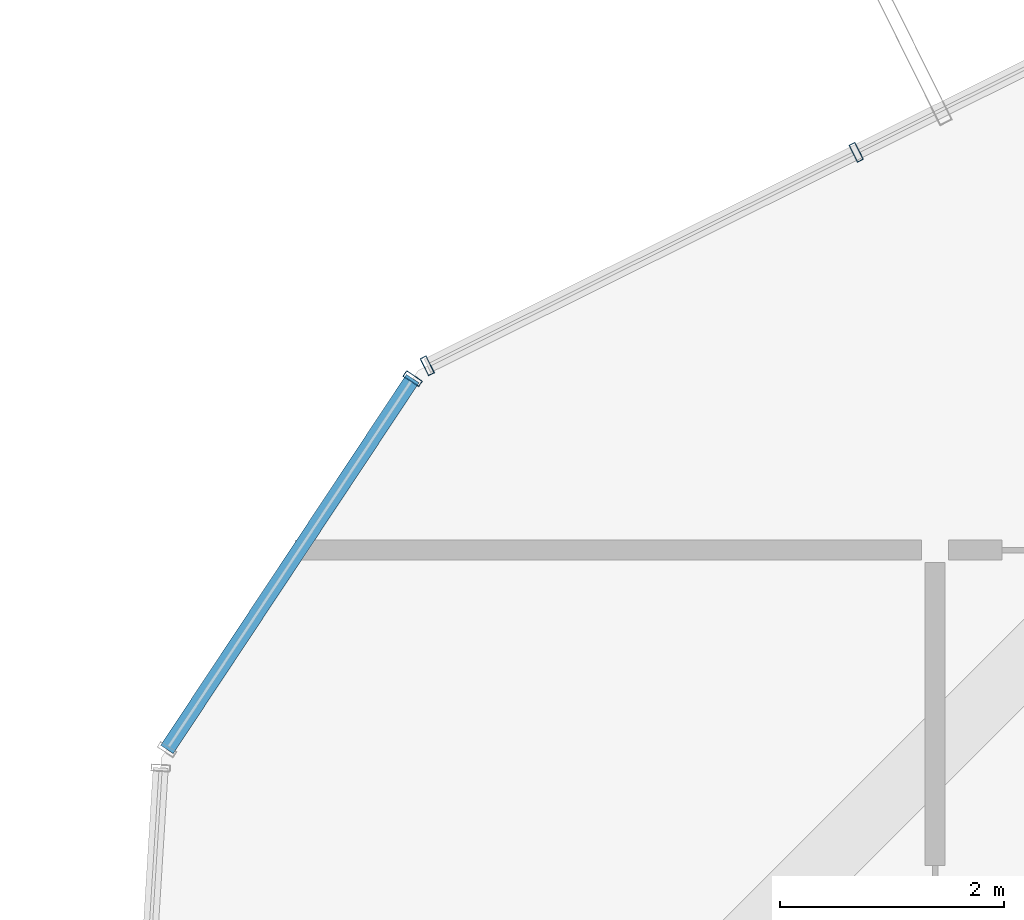
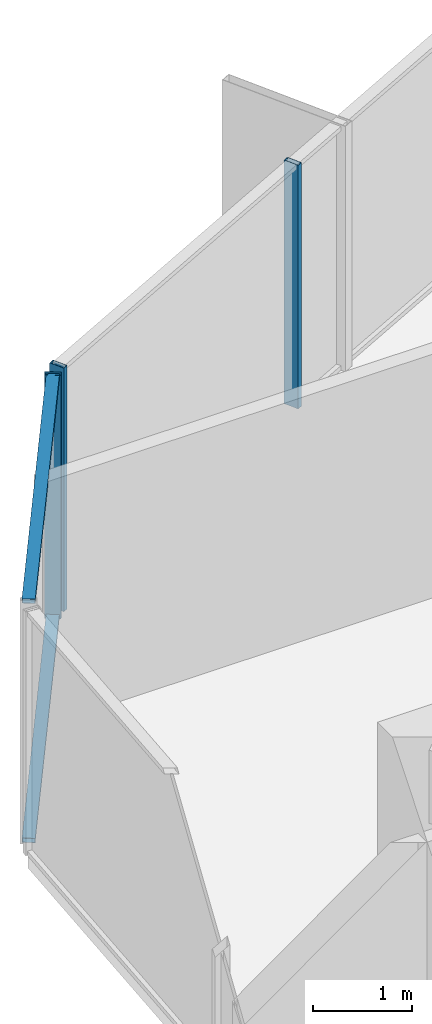
# One storey, part 16 of 30: 5 members, 2 elements without a shape of their own.
"""IFC4 building model written with IfcOpenShell, lengths in metres."""

from ifc_helpers import new_model, si_unit, direction, frame, origin, origin_2d, place, context, subcontext, project, spatial, hollow_rectangle, extrude, source, transform, mapped, material, layer, layer_set, material_profile, profile_set, type_object, element, aggregate, save


model = new_model("IFC4")

# Units and contexts
model_context = context("Model", 3, precision=1e-05, world=origin(), true_north=direction((0.0, 1.0)))
body_context = subcontext(model_context, "Body", "Model", "MODEL_VIEW")
ifc_project = project(units=[si_unit("LENGTHUNIT", "METRE"), si_unit("AREAUNIT", "SQUARE_METRE"), si_unit("VOLUMEUNIT", "CUBIC_METRE"), si_unit("PLANEANGLEUNIT", "RADIAN"), si_unit("MASSUNIT", "GRAM", prefix="KILO")], contexts=[model_context])

# Site, building, storey
site_placement = place(None, origin())
site = spatial("IfcSite", under=ifc_project, at=site_placement, CompositionType="ELEMENT")
building_placement = place(site_placement, origin())
building = spatial("IfcBuilding", under=site, at=building_placement, Name="Veraguas Prism Commons", CompositionType="ELEMENT")
storey_placement = place(building_placement, frame((0.0, 0.0, 116.5)))
storey = spatial("IfcBuildingStorey", under=building, at=storey_placement, Name="L32", CompositionType="ELEMENT", Elevation=116.5)

# Curtain wall, members
ifc_material = material(Name="Anodised aluminium EN AW-6063 T6", Category="aluminium")
ifc_layer = layer(ifc_material, 0.169921875, Name="Unitised Flush Curtain Wall Zone 2", Category="aluminium")
ifc_layer_set = layer_set([ifc_layer], Name="Anodised aluminium EN AW-6063 T6")
curtain_wall_type = type_object("IfcCurtainWallType", Name="Unitised Flush Curtain Wall Zone 2", PredefinedType="NOTDEFINED", material=ifc_layer_set)
curtain_wall_1_placement = place(storey_placement, origin())
curtain_wall_1 = element("IfcCurtainWall", 1, at=curtain_wall_1_placement, inside=storey, type_object=curtain_wall_type, Name="Tower Facade Curtain Wall L32-F2", PredefinedType="NOTDEFINED")
ifc_material_profile_1 = material_profile(ifc_material, hollow_rectangle(XDim=0.06005859375, YDim=0.169921875, WallThickness=0.00390625, at=origin_2d()), Name="AL60X170X4")
ifc_profile_set_1 = profile_set([ifc_material_profile_1], Name="Anodised aluminium EN AW-6063 T6")
member_type_1 = type_object("IfcMemberType", Name="Curtain Wall Mullion Lower AL 60x170x4", PredefinedType="MULLION", material=ifc_profile_set_1)
shared_shape_1 = source(origin(), body_context, "Body", "SweptSolid", [
    extrude(hollow_rectangle(XDim=0.06005859375, YDim=0.169921875, WallThickness=0.00390625, at=origin_2d()), origin(), (0.0, 0.0, 1.0), 3.0),
])
member_1_placement = place(storey_placement, frame((11.595458984375, 39.253173828125, 0.0), z_axis=(0.0, 0.0, 1.0), x_axis=(-0.895244870652, -0.445574484875, 0.0)))
member_1 = element("IfcMember", 2, at=member_1_placement, type_object=member_type_1, Name="CW-Z2 Mullion 4", PredefinedType="MULLION", context=body_context, shape_type="MappedRepresentation", body=[
    mapped(shared_shape_1, transform((0.0, 0.0, 0.0), scale=1.0)),
])
member_2_placement = place(storey_placement, frame((7.76513671875, 37.3466796875, 0.0), z_axis=(0.0, 0.0, 1.0), x_axis=(-0.895244870652, -0.445574484875, 0.0)))
member_2 = element("IfcMember", 3, at=member_2_placement, type_object=member_type_1, Name="CW-Z2 Mullion 5", PredefinedType="MULLION", context=body_context, shape_type="MappedRepresentation", body=[
    mapped(shared_shape_1, transform((0.0, 0.0, 0.0), scale=1.0)),
])
aggregate(curtain_wall_1, [member_1, member_2])

curtain_wall_2_placement = place(storey_placement, origin())
curtain_wall_2 = element("IfcCurtainWall", 4, at=curtain_wall_2_placement, inside=storey, type_object=curtain_wall_type, Name="Chamfer Curtain Wall L32-C3", PredefinedType="NOTDEFINED")
member_3_placement = place(storey_placement, frame((7.634765625, 37.231689453125, 0.0), z_axis=(0.0, 0.0, 1.0), x_axis=(-0.552507374975, -0.833508008719, 0.0)))
member_3 = element("IfcMember", 5, at=member_3_placement, type_object=member_type_1, Name="CW-Z2 Mullion 1", PredefinedType="MULLION", context=body_context, shape_type="MappedRepresentation", body=[
    mapped(shared_shape_1, transform((0.0, 0.0, 0.0), scale=1.0)),
])
ifc_material_profile_2 = material_profile(ifc_material, hollow_rectangle(XDim=0.054931640625, YDim=0.135009765625, WallThickness=0.0029296875, at=origin_2d()), Name="AL55X135X3")
ifc_profile_set_2 = profile_set([ifc_material_profile_2], Name="Anodised aluminium EN AW-6063 T6")
member_type_2 = type_object("IfcMemberType", Name="Curtain Wall Transom Standard AL 55x135x3", PredefinedType="USERDEFINED", material=ifc_profile_set_2)
shared_shape_2 = source(origin(), body_context, "Body", "SweptSolid", [
    extrude(hollow_rectangle(XDim=0.054931640625, YDim=0.135009765625, WallThickness=0.0029296875, at=origin_2d()), origin(), (0.0, 0.0, 1.0), 3.972900390625),
])
member_4_placement = place(storey_placement, frame((7.634765625, 37.231689453125, 0.027587890625), z_axis=(-0.55250022843, -0.833512745904, 0.0), x_axis=(0.0, 0.0, 1.0)))
member_4 = element("IfcMember", 6, at=member_4_placement, type_object=member_type_2, Name="CW-Z2 Transom 1", ObjectType="TRANSOM", PredefinedType="USERDEFINED", context=body_context, shape_type="MappedRepresentation", body=[
    mapped(shared_shape_2, transform((0.0, 0.0, 0.0), scale=1.0)),
])
member_5_placement = place(storey_placement, frame((7.634765625, 37.231689453125, 2.972412109375), z_axis=(-0.55250022843, -0.833512745904, 0.0), x_axis=(0.0, 0.0, 1.0)))
member_5 = element("IfcMember", 7, at=member_5_placement, type_object=member_type_2, Name="CW-Z2 Transom 2", ObjectType="TRANSOM", PredefinedType="USERDEFINED", context=body_context, shape_type="MappedRepresentation", body=[
    mapped(shared_shape_2, transform((0.0, 0.0, 0.0), scale=1.0)),
])
aggregate(curtain_wall_2, [member_3, member_4, member_5])

save(model, "model.ifc")
